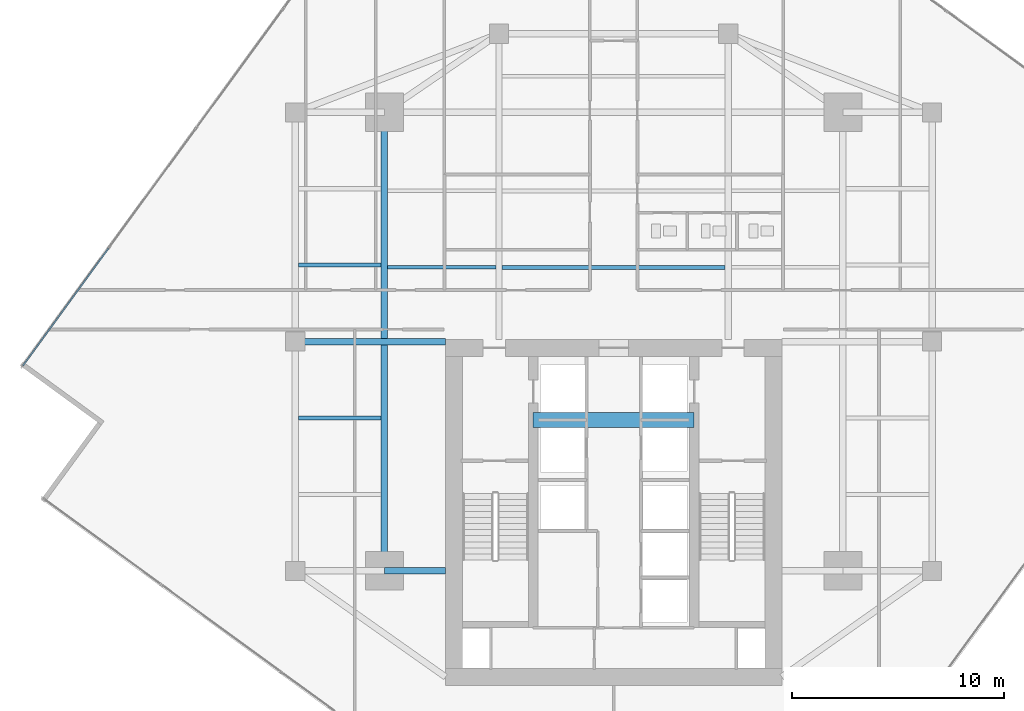
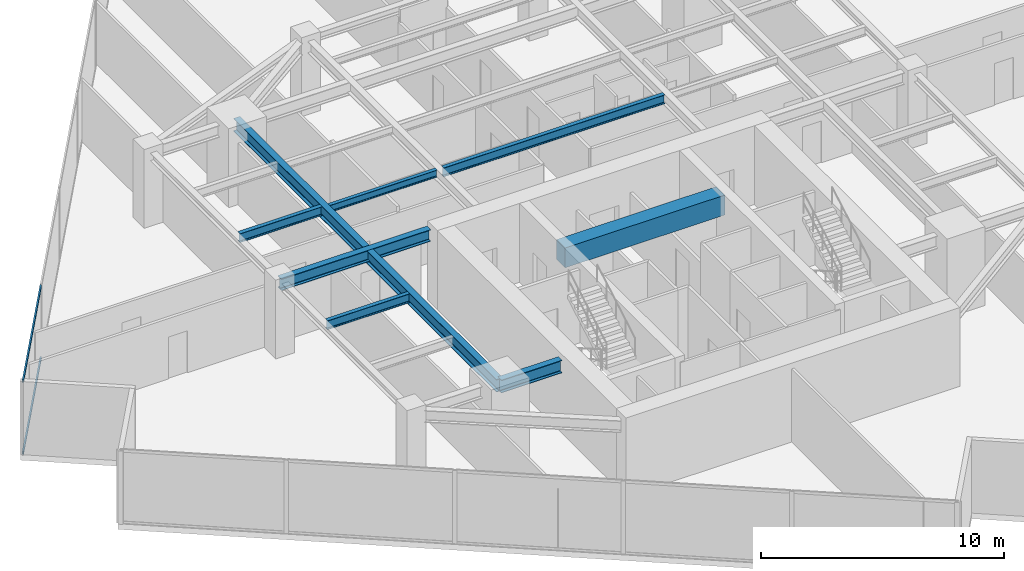
# One storey, part 7 of 25: 8 beams, 2 members, 1 element without a shape of its own.
"""IFC4 building model written with IfcOpenShell, lengths in metres."""

from ifc_helpers import new_model, si_unit, direction, frame, origin, origin_2d, place, context, subcontext, project, spatial, rectangle, hollow_rectangle, i_section, extrude, source, transform, mapped, material, material_profile, profile_set, type_object, type_shapes, element, aggregate, save


model = new_model("IFC4")

# Units and contexts
model_context = context("Model", 3, precision=1e-05, world=origin(), true_north=direction((0.0, 1.0)))
body_context = subcontext(model_context, "Body", "Model", "MODEL_VIEW")
ifc_project = project(units=[si_unit("LENGTHUNIT", "METRE"), si_unit("AREAUNIT", "SQUARE_METRE"), si_unit("VOLUMEUNIT", "CUBIC_METRE"), si_unit("PLANEANGLEUNIT", "RADIAN"), si_unit("MASSUNIT", "GRAM", prefix="KILO")], contexts=[model_context])

# Site, building, storey
site_placement = place(None, origin())
site = spatial("IfcSite", under=ifc_project, at=site_placement, CompositionType="ELEMENT")
building_placement = place(site_placement, origin())
building = spatial("IfcBuilding", under=site, at=building_placement, Name="Krantzveldt Concourse Tower", CompositionType="ELEMENT")
storey_placement = place(building_placement, frame((0.0, 0.0, 193.60009765625)))
storey = spatial("IfcBuildingStorey", under=building, at=storey_placement, Name="L47", CompositionType="ELEMENT", Elevation=193.60009765625)

# Beams
ifc_material_1 = material(Name="Steel S355JR", Category="steel")
ifc_material_profile_1 = material_profile(ifc_material_1, i_section(OverallWidth=0.300048828125, OverallDepth=0.639892578125, WebThickness=0.013427734375, FlangeThickness=0.02587890625, FilletRadius=0.027099609375, at=origin_2d()), Name="Steel S355JR", Category="steel")
ifc_profile_set_1 = profile_set([ifc_material_profile_1], Name="Steel S355JR - HEA 650")
beam_type_1 = type_object("IfcBeamType", Name="BM-B-HEA650", PredefinedType="BEAM", material=ifc_profile_set_1)
shared_shape_1 = source(origin(), body_context, "Body", "SweptSolid", [
    extrude(i_section(OverallWidth=0.300048828125, OverallDepth=0.639892578125, WebThickness=0.013427734375, FlangeThickness=0.02587890625, FilletRadius=0.027099609375, at=origin_2d()), origin(), (0.0, 0.0, 1.0), 21.60009765625),
])
beam_1_placement = place(storey_placement, frame((25.199951171875, 15.89990234375, 3.349853515625), z_axis=(0.0, 1.0, 0.0), x_axis=(-1.0, 0.0, 0.0)))
element("IfcBeam", 1, at=beam_1_placement, inside=storey, type_object=beam_type_1, Name="L47 Tower Girder BG-MW", PredefinedType="BEAM", context=body_context, shape_type="MappedRepresentation", body=[
    mapped(shared_shape_1, transform((0.0, 0.0, 0.0), x_axis=(1.0, 0.0, 0.0), y_axis=(0.0, 1.0, 0.0), z_axis=(0.0, 0.0, 1.0), scale=1.0)),
])
ifc_material_profile_2 = material_profile(ifc_material_1, i_section(OverallWidth=0.300048828125, OverallDepth=0.590087890625, WebThickness=0.012939453125, FlangeThickness=0.02490234375, FilletRadius=0.027099609375, at=origin_2d()), Name="Steel S355JR", Category="steel")
ifc_profile_set_2 = profile_set([ifc_material_profile_2], Name="Steel S355JR - HEA 600")
beam_type_2 = type_object("IfcBeamType", Name="BM-B-HEA600", PredefinedType="BEAM", material=ifc_profile_set_2)
shared_shape_2 = source(origin(), body_context, "Body", "SweptSolid", [
    extrude(i_section(OverallWidth=0.300048828125, OverallDepth=0.590087890625, WebThickness=0.012939453125, FlangeThickness=0.02490234375, FilletRadius=0.027099609375, at=origin_2d()), origin(), (0.0, 0.0, 1.0), 7.080078125),
])
type_shapes(beam_type_2, [shared_shape_2])
beam_2_placement = place(storey_placement, frame((21.0, 26.699951171875, 3.375), z_axis=(1.0, 0.0, 0.0), x_axis=(0.0, 1.0, 0.0)))
element("IfcBeam", 2, at=beam_2_placement, inside=storey, type_object=beam_type_2, Name="L47 Tower Girder BG-CW2", PredefinedType="BEAM", context=body_context, shape_type="MappedRepresentation", body=[
    mapped(shared_shape_2, transform((0.0, 0.0, 0.0), x_axis=(1.0, 0.0, 0.0), y_axis=(0.0, 1.0, 0.0), z_axis=(0.0, 0.0, 1.0), scale=1.0)),
])
ifc_material_profile_3 = material_profile(ifc_material_1, i_section(OverallWidth=0.18994140625, OverallDepth=0.449951171875, WebThickness=0.009521484375, FlangeThickness=0.0146484375, FilletRadius=0.02099609375, at=origin_2d()), Name="Steel S355JR", Category="steel")
ifc_profile_set_3 = profile_set([ifc_material_profile_3], Name="Steel S355JR - IPE 450")
beam_type_3 = type_object("IfcBeamType", Name="BM-J-IPE450", PredefinedType="JOIST", material=ifc_profile_set_3)
shared_shape_3 = source(origin(), body_context, "Body", "SweptSolid", [
    extrude(i_section(OverallWidth=0.18994140625, OverallDepth=0.449951171875, WebThickness=0.009521484375, FlangeThickness=0.0146484375, FilletRadius=0.02099609375, at=origin_2d()), origin(), (0.0, 0.0, 1.0), 10.5),
])
beam_3_placement = place(storey_placement, frame((30.75, 30.199951171875, 3.44482421875), z_axis=(1.0, 0.0, 0.0), x_axis=(0.0, 1.0, 0.0)))
element("IfcBeam", 3, at=beam_3_placement, inside=storey, type_object=beam_type_3, Name="L47 Secondary Floor Joist JN-C1", PredefinedType="JOIST", context=body_context, shape_type="MappedRepresentation", body=[
    mapped(shared_shape_3, transform((0.0, 0.0, 0.0), x_axis=(1.0, 0.0, 0.0), y_axis=(0.0, 1.0, 0.0), z_axis=(0.0, 0.0, 1.0), scale=1.0)),
])
ifc_material_2 = material(Name="Concrete C50/60", Category="concrete")
ifc_material_profile_4 = material_profile(ifc_material_2, rectangle(XDim=0.699951171875, YDim=1.0, at=origin_2d()), Name="Concrete C50/60", Category="concrete")
ifc_profile_set_4 = profile_set([ifc_material_profile_4], Name="Concrete C50/60 - RC-CB 700x1000")
beam_type_4 = type_object("IfcBeamType", Name="BM-CB-1000", PredefinedType="LINTEL", material=ifc_profile_set_4)
shared_shape_4 = source(origin(), body_context, "Body", "SweptSolid", [
    extrude(rectangle(XDim=0.699951171875, YDim=1.0, at=origin_2d()), origin(), (0.0, 0.0, 1.0), 7.580078125),
])
type_shapes(beam_type_4, [shared_shape_4])
beam_4_placement = place(storey_placement, frame((32.2099609375, 23.0, 3.169921875), z_axis=(1.0, 0.0, 0.0), x_axis=(0.0, 1.0, 0.0)))
element("IfcBeam", 4, at=beam_4_placement, inside=storey, type_object=beam_type_4, Name="CB-L47-01", PredefinedType="LINTEL", context=body_context, shape_type="MappedRepresentation", body=[
    mapped(shared_shape_4, transform((0.0, 0.0, 0.0), x_axis=(1.0, 0.0, 0.0), y_axis=(0.0, 1.0, 0.0), z_axis=(0.0, 0.0, 1.0), scale=1.0)),
])
shared_shape_5 = source(origin(), body_context, "Body", "SweptSolid", [
    extrude(i_section(OverallWidth=0.300048828125, OverallDepth=0.639892578125, WebThickness=0.013427734375, FlangeThickness=0.02587890625, FilletRadius=0.027099609375, at=origin_2d()), origin(), (0.0, 0.0, 1.0), 2.880126953125),
])
type_shapes(beam_type_1, [shared_shape_1, shared_shape_5])
beam_5_placement = place(storey_placement, frame((25.199951171875, 15.89990234375, 3.349853515625), z_axis=(1.0, 0.0, 0.0), x_axis=(0.0, 1.0, 0.0)))
element("IfcBeam", 5, at=beam_5_placement, inside=storey, type_object=beam_type_1, Name="L47 Tower Girder BG-CW1", PredefinedType="BEAM", context=body_context, shape_type="MappedRepresentation", body=[
    mapped(shared_shape_5, transform((0.0, 0.0, 0.0), x_axis=(1.0, 0.0, 0.0), y_axis=(0.0, 1.0, 0.0), z_axis=(0.0, 0.0, 1.0), scale=1.0)),
])
ifc_material_profile_5 = material_profile(ifc_material_1, i_section(OverallWidth=0.169921875, OverallDepth=0.360107421875, WebThickness=0.008056640625, FlangeThickness=0.0126953125, FilletRadius=0.01806640625, at=origin_2d()), Name="Steel S355JR", Category="steel")
ifc_profile_set_5 = profile_set([ifc_material_profile_5], Name="Steel S355JR - IPE 360")
beam_type_5 = type_object("IfcBeamType", Name="BM-J-IPE360", PredefinedType="JOIST", material=ifc_profile_set_5)
shared_shape_6 = source(origin(), body_context, "Body", "SweptSolid", [
    extrude(i_section(OverallWidth=0.169921875, OverallDepth=0.360107421875, WebThickness=0.008056640625, FlangeThickness=0.0126953125, FilletRadius=0.01806640625, at=origin_2d()), origin(), (0.0, 0.0, 1.0), 5.099853515625),
])
type_shapes(beam_type_5, [shared_shape_6])
beam_6_placement = place(storey_placement, frame((25.35009765625, 30.199951171875, 3.489990234375), z_axis=(1.0, 0.0, 0.0), x_axis=(0.0, 1.0, 0.0)))
element("IfcBeam", 6, at=beam_6_placement, inside=storey, type_object=beam_type_5, Name="L47 Secondary Floor Joist JN-W1", PredefinedType="JOIST", context=body_context, shape_type="MappedRepresentation", body=[
    mapped(shared_shape_6, transform((0.0, 0.0, 0.0), x_axis=(1.0, 0.0, 0.0), y_axis=(0.0, 1.0, 0.0), z_axis=(0.0, 0.0, 1.0), scale=1.0)),
])
shared_shape_7 = source(origin(), body_context, "Body", "SweptSolid", [
    extrude(i_section(OverallWidth=0.18994140625, OverallDepth=0.449951171875, WebThickness=0.009521484375, FlangeThickness=0.0146484375, FilletRadius=0.02099609375, at=origin_2d()), origin(), (0.0, 0.0, 1.0), 3.900146484375),
])
type_shapes(beam_type_3, [shared_shape_3, shared_shape_7])
for number, where, z_axis, x_axis, name in (
    (7, (21.14990234375, 23.10009765625, 3.44482421875), (1.0, 0.0, 0.0), (0.0, 1.0, 0.0), "L47 Secondary Floor Joist JW-2"),
    (8, (21.14990234375, 30.300048828125, 3.44482421875), (1.0, 0.0, 0.0), (0.0, 1.0, 0.0), "L47 Secondary Floor Joist JW-3"),
):
    element("IfcBeam", number, at=place(storey_placement, frame(where, z_axis=z_axis, x_axis=x_axis)), inside=storey, type_object=beam_type_3, Name=name, PredefinedType="JOIST", context=body_context, shape_type="MappedRepresentation", body=[
        mapped(shared_shape_7, transform((0.0, 0.0, 0.0), x_axis=(1.0, 0.0, 0.0), y_axis=(0.0, 1.0, 0.0), z_axis=(0.0, 0.0, 1.0), scale=1.0)),
    ])

# Curtain wall, members
ifc_material_3 = material(Name="Anodised aluminium 6063-T6", Category="aluminium")
curtain_wall_type = type_object("IfcCurtainWallType", Name="CW3", PredefinedType="USERDEFINED", material=ifc_material_3)
curtain_wall_placement = place(storey_placement, origin())
curtain_wall = element("IfcCurtainWall", 9, at=curtain_wall_placement, inside=storey, type_object=curtain_wall_type, Name="CW-L47-F01", ObjectType="UNITISED CURTAIN WALL", PredefinedType="USERDEFINED")
ifc_material_profile_6 = material_profile(ifc_material_3, hollow_rectangle(XDim=0.070068359375, YDim=0.139892578125, WallThickness=0.0048828125, at=origin_2d()), Name="Anodised aluminium 6063-T6", Category="aluminium")
ifc_profile_set_6 = profile_set([ifc_material_profile_6], Name="Anodised aluminium 6063-T6 - ALU-TRAN 140x70x5")
member_type = type_object("IfcMemberType", Name="CW-TRN-150", PredefinedType="USERDEFINED", material=ifc_profile_set_6)
shared_shape_8 = source(origin(), body_context, "Body", "SweptSolid", [
    extrude(hollow_rectangle(XDim=0.070068359375, YDim=0.139892578125, WallThickness=0.0048828125, at=origin_2d()), origin(), (0.0, 0.0, 1.0), 6.85498046875),
])
type_shapes(member_type, [shared_shape_8])
member_1_placement = place(storey_placement, frame((12.207763671875, 31.09716796875, 0.034912109375), z_axis=(-0.589532506121, -0.807744652862, 0.0), x_axis=(0.807744652862, -0.589532506121, 0.0)))
member_1 = element("IfcMember", 10, at=member_1_placement, type_object=member_type, Name="CW-Z34 transom 5.1", ObjectType="TRANSOM", PredefinedType="USERDEFINED", context=body_context, shape_type="MappedRepresentation", body=[
    mapped(shared_shape_8, transform((0.0, 0.0, 0.0), x_axis=(1.0, 0.0, 0.0), y_axis=(0.0, 1.0, 0.0), z_axis=(0.0, 0.0, 1.0), scale=1.0)),
])
member_2_placement = place(storey_placement, frame((12.207763671875, 31.09716796875, 3.635009765625), z_axis=(-0.589532506121, -0.807744652862, 0.0), x_axis=(0.807744652862, -0.589532506121, 0.0)))
member_2 = element("IfcMember", 11, at=member_2_placement, type_object=member_type, Name="CW-Z34 transom 5.2", ObjectType="TRANSOM", PredefinedType="USERDEFINED", context=body_context, shape_type="MappedRepresentation", body=[
    mapped(shared_shape_8, transform((0.0, 0.0, 0.0), x_axis=(1.0, 0.0, 0.0), y_axis=(0.0, 1.0, 0.0), z_axis=(0.0, 0.0, 1.0), scale=1.0)),
])
aggregate(curtain_wall, [member_1, member_2])

save(model, "model.ifc")
